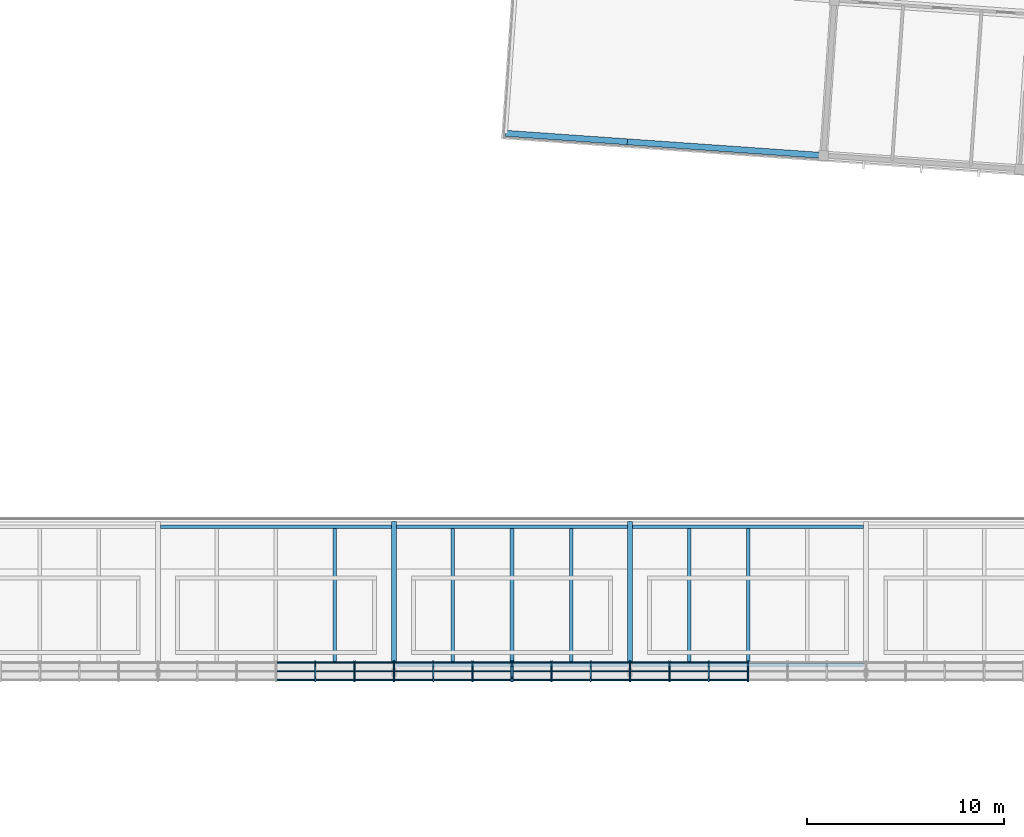
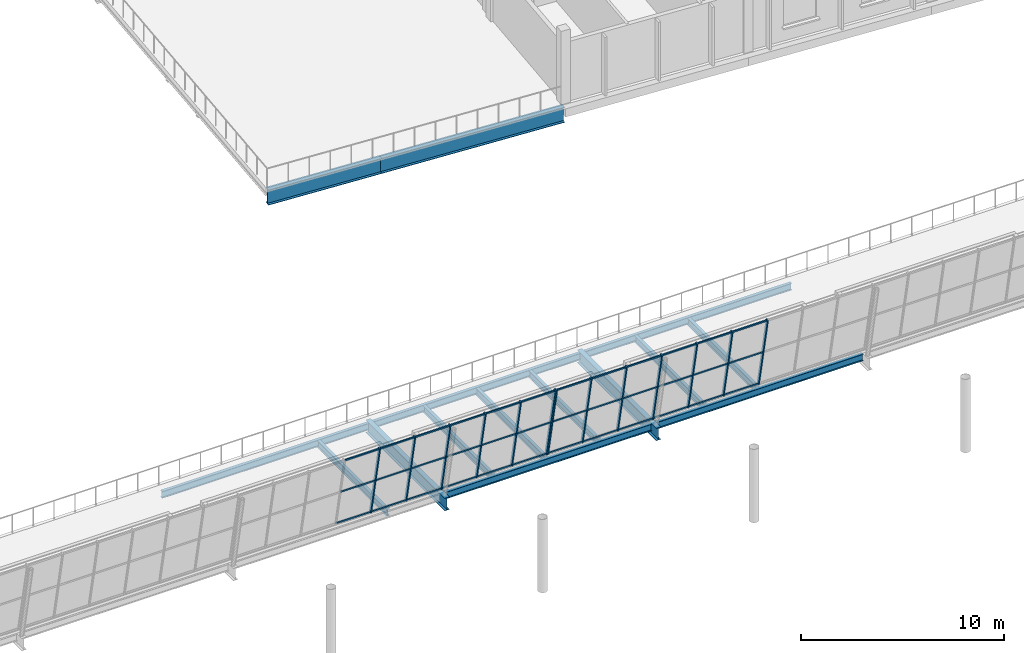
# One storey, part 20 of 58: 49 members, 15 beams, 2 elements without a shape of their own.
"""IFC4 building model written with IfcOpenShell, lengths in metres."""

from ifc_helpers import new_model, si_unit, direction, frame, origin, origin_2d, place, context, subcontext, project, spatial, rectangle, i_section, extrude, material, layer, layer_set, material_profile, profile_set, type_object, element, aggregate, save


model = new_model("IFC4")

# Units and contexts
model_context = context("Model", 3, precision=1e-05, world=origin(), true_north=direction((0.0, 1.0)))
body_context = subcontext(model_context, "Body", "Model", "MODEL_VIEW")
ifc_project = project(units=[si_unit("LENGTHUNIT", "METRE"), si_unit("AREAUNIT", "SQUARE_METRE"), si_unit("VOLUMEUNIT", "CUBIC_METRE"), si_unit("PLANEANGLEUNIT", "RADIAN"), si_unit("MASSUNIT", "GRAM", prefix="KILO")], contexts=[model_context])

# Site, building, storey
site_placement = place(None, origin())
site = spatial("IfcSite", under=ifc_project, at=site_placement, CompositionType="ELEMENT")
building_placement = place(site_placement, origin())
building = spatial("IfcBuilding", under=site, at=building_placement, Name="Windward Yard Aquatics Centre", CompositionType="ELEMENT")
storey_placement = place(building_placement, frame((0.0, 0.0, 13.800048828125)))
storey = spatial("IfcBuildingStorey", under=building, at=storey_placement, Name="L03", CompositionType="ELEMENT", Elevation=13.800048828125)

# Curtain wall, members
ifc_material_1 = material(Name="Glass and aluminium curtain wall", Category="aluminium")
ifc_layer = layer(ifc_material_1, 0.179931640625)
ifc_layer_set = layer_set([ifc_layer], Name="H curtain wall tier 2 double glazed 6+16+6")
curtain_wall_type = type_object("IfcCurtainWallType", Name="H curtain wall tier 2 double glazed 6+16+6", PredefinedType="NOTDEFINED", material=ifc_layer_set)
curtain_wall_1_placement = place(storey_placement, origin())
curtain_wall_1 = element("IfcCurtainWall", 1, at=curtain_wall_1_placement, inside=storey, type_object=curtain_wall_type, Name="Tier 2 glazing N L03", PredefinedType="NOTDEFINED")
ifc_material_2 = material(Name="Aluminium 6063-T6 anodised", Category="aluminium")
ifc_material_profile_1 = material_profile(ifc_material_2, rectangle(XDim=0.06494140625, YDim=0.179931640625, at=origin_2d()), Name="H CW mullion 65x180")
ifc_profile_set_1 = profile_set([ifc_material_profile_1], Name="Aluminium 6063-T6 anodised")
member_type_1 = type_object("IfcMemberType", Name="H CW mullion 65x180", PredefinedType="MULLION", material=ifc_profile_set_1)
member_1_placement = place(storey_placement, frame((91.996337890625, 90.38623046875, 0.017822265625), z_axis=(0.0, -0.199327811945, 0.979932866775), x_axis=(1.0, 0.0, 0.0)))
member_1 = element("IfcMember", 2, at=member_1_placement, type_object=member_type_1, Name="G2NA mullion 15", PredefinedType="MULLION", context=body_context, shape_type="SweptSolid", body=[
    extrude(rectangle(XDim=0.06494140625, YDim=0.179931640625, at=origin_2d()), origin(), (0.0, 0.0, 1.0), 4.471923828125),
])
member_2_placement = place(storey_placement, frame((93.99609375, 90.38623046875, 0.017822265625), z_axis=(0.0, -0.199327811945, 0.979932866775), x_axis=(1.0, 0.0, 0.0)))
member_2 = element("IfcMember", 3, at=member_2_placement, type_object=member_type_1, Name="G2NA mullion 16", PredefinedType="MULLION", context=body_context, shape_type="SweptSolid", body=[
    extrude(rectangle(XDim=0.06494140625, YDim=0.179931640625, at=origin_2d()), origin(), (0.0, 0.0, 1.0), 4.471923828125),
])
member_3_placement = place(storey_placement, frame((95.995849609375, 90.38623046875, 0.017822265625), z_axis=(0.0, -0.199327811945, 0.979932866775), x_axis=(1.0, 0.0, 0.0)))
member_3 = element("IfcMember", 4, at=member_3_placement, type_object=member_type_1, Name="G2NA mullion 17", PredefinedType="MULLION", context=body_context, shape_type="SweptSolid", body=[
    extrude(rectangle(XDim=0.06494140625, YDim=0.179931640625, at=origin_2d()), origin(), (0.0, 0.0, 1.0), 4.471923828125),
])
member_4_placement = place(storey_placement, frame((97.99560546875, 90.38623046875, 0.017822265625), z_axis=(0.0, -0.199327811945, 0.979932866775), x_axis=(1.0, 0.0, 0.0)))
member_4 = element("IfcMember", 5, at=member_4_placement, type_object=member_type_1, Name="G2NA mullion 18", PredefinedType="MULLION", context=body_context, shape_type="SweptSolid", body=[
    extrude(rectangle(XDim=0.06494140625, YDim=0.179931640625, at=origin_2d()), origin(), (0.0, 0.0, 1.0), 4.471923828125),
])
member_5_placement = place(storey_placement, frame((99.995361328125, 90.38623046875, 0.017822265625), z_axis=(0.0, -0.199327811945, 0.979932866775), x_axis=(1.0, 0.0, 0.0)))
member_5 = element("IfcMember", 6, at=member_5_placement, type_object=member_type_1, Name="G2NA mullion 19", PredefinedType="MULLION", context=body_context, shape_type="SweptSolid", body=[
    extrude(rectangle(XDim=0.06494140625, YDim=0.179931640625, at=origin_2d()), origin(), (0.0, 0.0, 1.0), 4.471923828125),
])
member_6_placement = place(storey_placement, frame((101.96240234375, 90.38623046875, 0.017822265625), z_axis=(0.0, -0.199327811945, 0.979932866775), x_axis=(1.0, 0.0, 0.0)))
member_6 = element("IfcMember", 7, at=member_6_placement, type_object=member_type_1, Name="G2NA mullion 20", PredefinedType="MULLION", context=body_context, shape_type="SweptSolid", body=[
    extrude(rectangle(XDim=0.06494140625, YDim=0.179931640625, at=origin_2d()), origin(), (0.0, 0.0, 1.0), 4.471923828125),
])

curtain_wall_2_placement = place(storey_placement, origin())
curtain_wall_2 = element("IfcCurtainWall", 8, at=curtain_wall_2_placement, inside=storey, type_object=curtain_wall_type, Name="Tier 2 glazing N L03", PredefinedType="NOTDEFINED")
member_7_placement = place(storey_placement, frame((102.03759765625, 90.38623046875, 0.017822265625), z_axis=(0.0, -0.199327811945, 0.979932866775), x_axis=(1.0, 0.0, 0.0)))
member_7 = element("IfcMember", 9, at=member_7_placement, type_object=member_type_1, Name="G2NB mullion 1", PredefinedType="MULLION", context=body_context, shape_type="SweptSolid", body=[
    extrude(rectangle(XDim=0.06494140625, YDim=0.179931640625, at=origin_2d()), origin(), (0.0, 0.0, 1.0), 4.471923828125),
])
member_8_placement = place(storey_placement, frame((104.004638671875, 90.38623046875, 0.017822265625), z_axis=(0.0, -0.199327811945, 0.979932866775), x_axis=(1.0, 0.0, 0.0)))
member_8 = element("IfcMember", 10, at=member_8_placement, type_object=member_type_1, Name="G2NB mullion 2", PredefinedType="MULLION", context=body_context, shape_type="SweptSolid", body=[
    extrude(rectangle(XDim=0.06494140625, YDim=0.179931640625, at=origin_2d()), origin(), (0.0, 0.0, 1.0), 4.471923828125),
])
member_9_placement = place(storey_placement, frame((106.00439453125, 90.38623046875, 0.017822265625), z_axis=(0.0, -0.199327811945, 0.979932866775), x_axis=(1.0, 0.0, 0.0)))
member_9 = element("IfcMember", 11, at=member_9_placement, type_object=member_type_1, Name="G2NB mullion 3", PredefinedType="MULLION", context=body_context, shape_type="SweptSolid", body=[
    extrude(rectangle(XDim=0.06494140625, YDim=0.179931640625, at=origin_2d()), origin(), (0.0, 0.0, 1.0), 4.471923828125),
])
member_10_placement = place(storey_placement, frame((108.004150390625, 90.38623046875, 0.017822265625), z_axis=(0.0, -0.199327811945, 0.979932866775), x_axis=(1.0, 0.0, 0.0)))
member_10 = element("IfcMember", 12, at=member_10_placement, type_object=member_type_1, Name="G2NB mullion 4", PredefinedType="MULLION", context=body_context, shape_type="SweptSolid", body=[
    extrude(rectangle(XDim=0.06494140625, YDim=0.179931640625, at=origin_2d()), origin(), (0.0, 0.0, 1.0), 4.471923828125),
])
member_11_placement = place(storey_placement, frame((110.00390625, 90.38623046875, 0.017822265625), z_axis=(0.0, -0.199327811945, 0.979932866775), x_axis=(1.0, 0.0, 0.0)))
member_11 = element("IfcMember", 13, at=member_11_placement, type_object=member_type_1, Name="G2NB mullion 5", PredefinedType="MULLION", context=body_context, shape_type="SweptSolid", body=[
    extrude(rectangle(XDim=0.06494140625, YDim=0.179931640625, at=origin_2d()), origin(), (0.0, 0.0, 1.0), 4.471923828125),
])
member_12_placement = place(storey_placement, frame((112.003662109375, 90.38623046875, 0.017822265625), z_axis=(0.0, -0.199327811945, 0.979932866775), x_axis=(1.0, 0.0, 0.0)))
member_12 = element("IfcMember", 14, at=member_12_placement, type_object=member_type_1, Name="G2NB mullion 6", PredefinedType="MULLION", context=body_context, shape_type="SweptSolid", body=[
    extrude(rectangle(XDim=0.06494140625, YDim=0.179931640625, at=origin_2d()), origin(), (0.0, 0.0, 1.0), 4.471923828125),
])
member_13_placement = place(storey_placement, frame((114.00341796875, 90.38623046875, 0.017822265625), z_axis=(0.0, -0.199327811945, 0.979932866775), x_axis=(1.0, 0.0, 0.0)))
member_13 = element("IfcMember", 15, at=member_13_placement, type_object=member_type_1, Name="G2NB mullion 7", PredefinedType="MULLION", context=body_context, shape_type="SweptSolid", body=[
    extrude(rectangle(XDim=0.06494140625, YDim=0.179931640625, at=origin_2d()), origin(), (0.0, 0.0, 1.0), 4.471923828125),
])

# Member
ifc_material_profile_2 = material_profile(ifc_material_2, rectangle(XDim=0.06494140625, YDim=0.10009765625, at=origin_2d()), Name="H CW transom 65x100")
ifc_profile_set_2 = profile_set([ifc_material_profile_2], Name="Aluminium 6063-T6 anodised")
member_type_2 = type_object("IfcMemberType", Name="H CW transom 65x100", PredefinedType="USERDEFINED", material=ifc_profile_set_2)
member_14_placement = place(storey_placement, frame((90.029052734375, 90.378662109375, 0.055419921875), z_axis=(1.0, 0.0, 0.0), x_axis=(0.0, 0.979924704642, 0.199367934315)))
member_14 = element("IfcMember", 16, at=member_14_placement, type_object=member_type_2, Name="G2NA transom 14.1", ObjectType="TRANSOM", PredefinedType="USERDEFINED", context=body_context, shape_type="SweptSolid", body=[
    extrude(rectangle(XDim=0.06494140625, YDim=0.10009765625, at=origin_2d()), origin(), (0.0, 0.0, 1.0), 1.934814453125),
])

member_15_placement = place(storey_placement, frame((90.029052734375, 89.9423828125, 2.199951171875), z_axis=(1.0, 0.0, 0.0), x_axis=(0.0, 0.979924704642, 0.199367934315)))
member_15 = element("IfcMember", 17, at=member_15_placement, type_object=member_type_2, Name="G2NA transom 14.2", ObjectType="TRANSOM", PredefinedType="USERDEFINED", context=body_context, shape_type="SweptSolid", body=[
    extrude(rectangle(XDim=0.06494140625, YDim=0.10009765625, at=origin_2d()), origin(), (0.0, 0.0, 1.0), 1.934814453125),
])

member_16_placement = place(storey_placement, frame((90.029052734375, 89.5048828125, 4.35107421875), z_axis=(1.0, 0.0, 0.0), x_axis=(0.0, 0.979924704642, 0.199367934315)))
member_16 = element("IfcMember", 18, at=member_16_placement, type_object=member_type_2, Name="G2NA transom 14.3", ObjectType="TRANSOM", PredefinedType="USERDEFINED", context=body_context, shape_type="SweptSolid", body=[
    extrude(rectangle(XDim=0.06494140625, YDim=0.10009765625, at=origin_2d()), origin(), (0.0, 0.0, 1.0), 1.934814453125),
])

member_17_placement = place(storey_placement, frame((92.02880859375, 90.378662109375, 0.055419921875), z_axis=(1.0, 0.0, 0.0), x_axis=(0.0, 0.979924704642, 0.199367934315)))
member_17 = element("IfcMember", 19, at=member_17_placement, type_object=member_type_2, Name="G2NA transom 15.1", ObjectType="TRANSOM", PredefinedType="USERDEFINED", context=body_context, shape_type="SweptSolid", body=[
    extrude(rectangle(XDim=0.06494140625, YDim=0.10009765625, at=origin_2d()), origin(), (0.0, 0.0, 1.0), 1.934814453125),
])

member_18_placement = place(storey_placement, frame((92.02880859375, 89.9423828125, 2.199951171875), z_axis=(1.0, 0.0, 0.0), x_axis=(0.0, 0.979924704642, 0.199367934315)))
member_18 = element("IfcMember", 20, at=member_18_placement, type_object=member_type_2, Name="G2NA transom 15.2", ObjectType="TRANSOM", PredefinedType="USERDEFINED", context=body_context, shape_type="SweptSolid", body=[
    extrude(rectangle(XDim=0.06494140625, YDim=0.10009765625, at=origin_2d()), origin(), (0.0, 0.0, 1.0), 1.934814453125),
])

member_19_placement = place(storey_placement, frame((92.02880859375, 89.5048828125, 4.35107421875), z_axis=(1.0, 0.0, 0.0), x_axis=(0.0, 0.979924704642, 0.199367934315)))
member_19 = element("IfcMember", 21, at=member_19_placement, type_object=member_type_2, Name="G2NA transom 15.3", ObjectType="TRANSOM", PredefinedType="USERDEFINED", context=body_context, shape_type="SweptSolid", body=[
    extrude(rectangle(XDim=0.06494140625, YDim=0.10009765625, at=origin_2d()), origin(), (0.0, 0.0, 1.0), 1.934814453125),
])

member_20_placement = place(storey_placement, frame((94.028564453125, 90.378662109375, 0.055419921875), z_axis=(1.0, 0.0, 0.0), x_axis=(0.0, 0.979924704642, 0.199367934315)))
member_20 = element("IfcMember", 22, at=member_20_placement, type_object=member_type_2, Name="G2NA transom 16.1", ObjectType="TRANSOM", PredefinedType="USERDEFINED", context=body_context, shape_type="SweptSolid", body=[
    extrude(rectangle(XDim=0.06494140625, YDim=0.10009765625, at=origin_2d()), origin(), (0.0, 0.0, 1.0), 1.934814453125),
])

member_21_placement = place(storey_placement, frame((94.028564453125, 89.9423828125, 2.199951171875), z_axis=(1.0, 0.0, 0.0), x_axis=(0.0, 0.979924704642, 0.199367934315)))
member_21 = element("IfcMember", 23, at=member_21_placement, type_object=member_type_2, Name="G2NA transom 16.2", ObjectType="TRANSOM", PredefinedType="USERDEFINED", context=body_context, shape_type="SweptSolid", body=[
    extrude(rectangle(XDim=0.06494140625, YDim=0.10009765625, at=origin_2d()), origin(), (0.0, 0.0, 1.0), 1.934814453125),
])

member_22_placement = place(storey_placement, frame((94.028564453125, 89.5048828125, 4.35107421875), z_axis=(1.0, 0.0, 0.0), x_axis=(0.0, 0.979924704642, 0.199367934315)))
member_22 = element("IfcMember", 24, at=member_22_placement, type_object=member_type_2, Name="G2NA transom 16.3", ObjectType="TRANSOM", PredefinedType="USERDEFINED", context=body_context, shape_type="SweptSolid", body=[
    extrude(rectangle(XDim=0.06494140625, YDim=0.10009765625, at=origin_2d()), origin(), (0.0, 0.0, 1.0), 1.934814453125),
])

member_23_placement = place(storey_placement, frame((96.0283203125, 90.378662109375, 0.055419921875), z_axis=(1.0, 0.0, 0.0), x_axis=(0.0, 0.979924704642, 0.199367934315)))
member_23 = element("IfcMember", 25, at=member_23_placement, type_object=member_type_2, Name="G2NA transom 17.1", ObjectType="TRANSOM", PredefinedType="USERDEFINED", context=body_context, shape_type="SweptSolid", body=[
    extrude(rectangle(XDim=0.06494140625, YDim=0.10009765625, at=origin_2d()), origin(), (0.0, 0.0, 1.0), 1.934814453125),
])

member_24_placement = place(storey_placement, frame((96.0283203125, 89.9423828125, 2.199951171875), z_axis=(1.0, 0.0, 0.0), x_axis=(0.0, 0.979924704642, 0.199367934315)))
member_24 = element("IfcMember", 26, at=member_24_placement, type_object=member_type_2, Name="G2NA transom 17.2", ObjectType="TRANSOM", PredefinedType="USERDEFINED", context=body_context, shape_type="SweptSolid", body=[
    extrude(rectangle(XDim=0.06494140625, YDim=0.10009765625, at=origin_2d()), origin(), (0.0, 0.0, 1.0), 1.934814453125),
])

member_25_placement = place(storey_placement, frame((96.0283203125, 89.5048828125, 4.35107421875), z_axis=(1.0, 0.0, 0.0), x_axis=(0.0, 0.979924704642, 0.199367934315)))
member_25 = element("IfcMember", 27, at=member_25_placement, type_object=member_type_2, Name="G2NA transom 17.3", ObjectType="TRANSOM", PredefinedType="USERDEFINED", context=body_context, shape_type="SweptSolid", body=[
    extrude(rectangle(XDim=0.06494140625, YDim=0.10009765625, at=origin_2d()), origin(), (0.0, 0.0, 1.0), 1.934814453125),
])

member_26_placement = place(storey_placement, frame((98.028076171875, 90.378662109375, 0.055419921875), z_axis=(1.0, 0.0, 0.0), x_axis=(0.0, 0.979924704642, 0.199367934315)))
member_26 = element("IfcMember", 28, at=member_26_placement, type_object=member_type_2, Name="G2NA transom 18.1", ObjectType="TRANSOM", PredefinedType="USERDEFINED", context=body_context, shape_type="SweptSolid", body=[
    extrude(rectangle(XDim=0.06494140625, YDim=0.10009765625, at=origin_2d()), origin(), (0.0, 0.0, 1.0), 1.9345703125),
])

member_27_placement = place(storey_placement, frame((98.028076171875, 89.9423828125, 2.199951171875), z_axis=(1.0, 0.0, 0.0), x_axis=(0.0, 0.979924704642, 0.199367934315)))
member_27 = element("IfcMember", 29, at=member_27_placement, type_object=member_type_2, Name="G2NA transom 18.2", ObjectType="TRANSOM", PredefinedType="USERDEFINED", context=body_context, shape_type="SweptSolid", body=[
    extrude(rectangle(XDim=0.06494140625, YDim=0.10009765625, at=origin_2d()), origin(), (0.0, 0.0, 1.0), 1.9345703125),
])

member_28_placement = place(storey_placement, frame((98.028076171875, 89.5048828125, 4.35107421875), z_axis=(1.0, 0.0, 0.0), x_axis=(0.0, 0.979924704642, 0.199367934315)))
member_28 = element("IfcMember", 30, at=member_28_placement, type_object=member_type_2, Name="G2NA transom 18.3", ObjectType="TRANSOM", PredefinedType="USERDEFINED", context=body_context, shape_type="SweptSolid", body=[
    extrude(rectangle(XDim=0.06494140625, YDim=0.10009765625, at=origin_2d()), origin(), (0.0, 0.0, 1.0), 1.9345703125),
])

member_29_placement = place(storey_placement, frame((100.02783203125, 90.378662109375, 0.055419921875), z_axis=(1.0, 0.0, 0.0), x_axis=(0.0, 0.979924704642, 0.199367934315)))
member_29 = element("IfcMember", 31, at=member_29_placement, type_object=member_type_2, Name="G2NA transom 19.1", ObjectType="TRANSOM", PredefinedType="USERDEFINED", context=body_context, shape_type="SweptSolid", body=[
    extrude(rectangle(XDim=0.06494140625, YDim=0.10009765625, at=origin_2d()), origin(), (0.0, 0.0, 1.0), 1.902099609375),
])

member_30_placement = place(storey_placement, frame((100.02783203125, 89.9423828125, 2.199951171875), z_axis=(1.0, 0.0, 0.0), x_axis=(0.0, 0.979924704642, 0.199367934315)))
member_30 = element("IfcMember", 32, at=member_30_placement, type_object=member_type_2, Name="G2NA transom 19.2", ObjectType="TRANSOM", PredefinedType="USERDEFINED", context=body_context, shape_type="SweptSolid", body=[
    extrude(rectangle(XDim=0.06494140625, YDim=0.10009765625, at=origin_2d()), origin(), (0.0, 0.0, 1.0), 1.902099609375),
])

member_31_placement = place(storey_placement, frame((100.02783203125, 89.5048828125, 4.35107421875), z_axis=(1.0, 0.0, 0.0), x_axis=(0.0, 0.979924704642, 0.199367934315)))
member_31 = element("IfcMember", 33, at=member_31_placement, type_object=member_type_2, Name="G2NA transom 19.3", ObjectType="TRANSOM", PredefinedType="USERDEFINED", context=body_context, shape_type="SweptSolid", body=[
    extrude(rectangle(XDim=0.06494140625, YDim=0.10009765625, at=origin_2d()), origin(), (0.0, 0.0, 1.0), 1.902099609375),
])

aggregate(curtain_wall_1, [member_1, member_2, member_3, member_4, member_5, member_6, member_14, member_15, member_16, member_17, member_18, member_19, member_20, member_21, member_22, member_23, member_24, member_25, member_26, member_27, member_28, member_29, member_30, member_31])

member_32_placement = place(storey_placement, frame((102.070068359375, 90.378662109375, 0.055419921875), z_axis=(1.0, 0.0, 0.0), x_axis=(0.0, 0.979924704642, 0.199367934315)))
member_32 = element("IfcMember", 34, at=member_32_placement, type_object=member_type_2, Name="G2NB transom 1.1", ObjectType="TRANSOM", PredefinedType="USERDEFINED", context=body_context, shape_type="SweptSolid", body=[
    extrude(rectangle(XDim=0.06494140625, YDim=0.10009765625, at=origin_2d()), origin(), (0.0, 0.0, 1.0), 1.902099609375),
])

member_33_placement = place(storey_placement, frame((102.070068359375, 89.9423828125, 2.199951171875), z_axis=(1.0, 0.0, 0.0), x_axis=(0.0, 0.979924704642, 0.199367934315)))
member_33 = element("IfcMember", 35, at=member_33_placement, type_object=member_type_2, Name="G2NB transom 1.2", ObjectType="TRANSOM", PredefinedType="USERDEFINED", context=body_context, shape_type="SweptSolid", body=[
    extrude(rectangle(XDim=0.06494140625, YDim=0.10009765625, at=origin_2d()), origin(), (0.0, 0.0, 1.0), 1.902099609375),
])

member_34_placement = place(storey_placement, frame((102.070068359375, 89.5048828125, 4.35107421875), z_axis=(1.0, 0.0, 0.0), x_axis=(0.0, 0.979924704642, 0.199367934315)))
member_34 = element("IfcMember", 36, at=member_34_placement, type_object=member_type_2, Name="G2NB transom 1.3", ObjectType="TRANSOM", PredefinedType="USERDEFINED", context=body_context, shape_type="SweptSolid", body=[
    extrude(rectangle(XDim=0.06494140625, YDim=0.10009765625, at=origin_2d()), origin(), (0.0, 0.0, 1.0), 1.902099609375),
])

member_35_placement = place(storey_placement, frame((104.037353515625, 90.378662109375, 0.055419921875), z_axis=(1.0, 0.0, 0.0), x_axis=(0.0, 0.979924704642, 0.199367934315)))
member_35 = element("IfcMember", 37, at=member_35_placement, type_object=member_type_2, Name="G2NB transom 2.1", ObjectType="TRANSOM", PredefinedType="USERDEFINED", context=body_context, shape_type="SweptSolid", body=[
    extrude(rectangle(XDim=0.06494140625, YDim=0.10009765625, at=origin_2d()), origin(), (0.0, 0.0, 1.0), 1.9345703125),
])

member_36_placement = place(storey_placement, frame((104.037353515625, 89.9423828125, 2.199951171875), z_axis=(1.0, 0.0, 0.0), x_axis=(0.0, 0.979924704642, 0.199367934315)))
member_36 = element("IfcMember", 38, at=member_36_placement, type_object=member_type_2, Name="G2NB transom 2.2", ObjectType="TRANSOM", PredefinedType="USERDEFINED", context=body_context, shape_type="SweptSolid", body=[
    extrude(rectangle(XDim=0.06494140625, YDim=0.10009765625, at=origin_2d()), origin(), (0.0, 0.0, 1.0), 1.9345703125),
])

member_37_placement = place(storey_placement, frame((104.037353515625, 89.5048828125, 4.35107421875), z_axis=(1.0, 0.0, 0.0), x_axis=(0.0, 0.979924704642, 0.199367934315)))
member_37 = element("IfcMember", 39, at=member_37_placement, type_object=member_type_2, Name="G2NB transom 2.3", ObjectType="TRANSOM", PredefinedType="USERDEFINED", context=body_context, shape_type="SweptSolid", body=[
    extrude(rectangle(XDim=0.06494140625, YDim=0.10009765625, at=origin_2d()), origin(), (0.0, 0.0, 1.0), 1.9345703125),
])

member_38_placement = place(storey_placement, frame((106.036865234375, 90.378662109375, 0.055419921875), z_axis=(1.0, 0.0, 0.0), x_axis=(0.0, 0.979924704642, 0.199367934315)))
member_38 = element("IfcMember", 40, at=member_38_placement, type_object=member_type_2, Name="G2NB transom 3.1", ObjectType="TRANSOM", PredefinedType="USERDEFINED", context=body_context, shape_type="SweptSolid", body=[
    extrude(rectangle(XDim=0.06494140625, YDim=0.10009765625, at=origin_2d()), origin(), (0.0, 0.0, 1.0), 1.934814453125),
])

member_39_placement = place(storey_placement, frame((106.036865234375, 89.9423828125, 2.199951171875), z_axis=(1.0, 0.0, 0.0), x_axis=(0.0, 0.979924704642, 0.199367934315)))
member_39 = element("IfcMember", 41, at=member_39_placement, type_object=member_type_2, Name="G2NB transom 3.2", ObjectType="TRANSOM", PredefinedType="USERDEFINED", context=body_context, shape_type="SweptSolid", body=[
    extrude(rectangle(XDim=0.06494140625, YDim=0.10009765625, at=origin_2d()), origin(), (0.0, 0.0, 1.0), 1.934814453125),
])

member_40_placement = place(storey_placement, frame((106.036865234375, 89.5048828125, 4.35107421875), z_axis=(1.0, 0.0, 0.0), x_axis=(0.0, 0.979924704642, 0.199367934315)))
member_40 = element("IfcMember", 42, at=member_40_placement, type_object=member_type_2, Name="G2NB transom 3.3", ObjectType="TRANSOM", PredefinedType="USERDEFINED", context=body_context, shape_type="SweptSolid", body=[
    extrude(rectangle(XDim=0.06494140625, YDim=0.10009765625, at=origin_2d()), origin(), (0.0, 0.0, 1.0), 1.934814453125),
])

member_41_placement = place(storey_placement, frame((108.03662109375, 90.378662109375, 0.055419921875), z_axis=(1.0, 0.0, 0.0), x_axis=(0.0, 0.979924704642, 0.199367934315)))
member_41 = element("IfcMember", 43, at=member_41_placement, type_object=member_type_2, Name="G2NB transom 4.1", ObjectType="TRANSOM", PredefinedType="USERDEFINED", context=body_context, shape_type="SweptSolid", body=[
    extrude(rectangle(XDim=0.06494140625, YDim=0.10009765625, at=origin_2d()), origin(), (0.0, 0.0, 1.0), 1.934814453125),
])

member_42_placement = place(storey_placement, frame((108.03662109375, 89.9423828125, 2.199951171875), z_axis=(1.0, 0.0, 0.0), x_axis=(0.0, 0.979924704642, 0.199367934315)))
member_42 = element("IfcMember", 44, at=member_42_placement, type_object=member_type_2, Name="G2NB transom 4.2", ObjectType="TRANSOM", PredefinedType="USERDEFINED", context=body_context, shape_type="SweptSolid", body=[
    extrude(rectangle(XDim=0.06494140625, YDim=0.10009765625, at=origin_2d()), origin(), (0.0, 0.0, 1.0), 1.934814453125),
])

member_43_placement = place(storey_placement, frame((108.03662109375, 89.5048828125, 4.35107421875), z_axis=(1.0, 0.0, 0.0), x_axis=(0.0, 0.979924704642, 0.199367934315)))
member_43 = element("IfcMember", 45, at=member_43_placement, type_object=member_type_2, Name="G2NB transom 4.3", ObjectType="TRANSOM", PredefinedType="USERDEFINED", context=body_context, shape_type="SweptSolid", body=[
    extrude(rectangle(XDim=0.06494140625, YDim=0.10009765625, at=origin_2d()), origin(), (0.0, 0.0, 1.0), 1.934814453125),
])

member_44_placement = place(storey_placement, frame((110.036376953125, 90.378662109375, 0.055419921875), z_axis=(1.0, 0.0, 0.0), x_axis=(0.0, 0.979924704642, 0.199367934315)))
member_44 = element("IfcMember", 46, at=member_44_placement, type_object=member_type_2, Name="G2NB transom 5.1", ObjectType="TRANSOM", PredefinedType="USERDEFINED", context=body_context, shape_type="SweptSolid", body=[
    extrude(rectangle(XDim=0.06494140625, YDim=0.10009765625, at=origin_2d()), origin(), (0.0, 0.0, 1.0), 1.934814453125),
])

member_45_placement = place(storey_placement, frame((110.036376953125, 89.9423828125, 2.199951171875), z_axis=(1.0, 0.0, 0.0), x_axis=(0.0, 0.979924704642, 0.199367934315)))
member_45 = element("IfcMember", 47, at=member_45_placement, type_object=member_type_2, Name="G2NB transom 5.2", ObjectType="TRANSOM", PredefinedType="USERDEFINED", context=body_context, shape_type="SweptSolid", body=[
    extrude(rectangle(XDim=0.06494140625, YDim=0.10009765625, at=origin_2d()), origin(), (0.0, 0.0, 1.0), 1.934814453125),
])

member_46_placement = place(storey_placement, frame((110.036376953125, 89.5048828125, 4.35107421875), z_axis=(1.0, 0.0, 0.0), x_axis=(0.0, 0.979924704642, 0.199367934315)))
member_46 = element("IfcMember", 48, at=member_46_placement, type_object=member_type_2, Name="G2NB transom 5.3", ObjectType="TRANSOM", PredefinedType="USERDEFINED", context=body_context, shape_type="SweptSolid", body=[
    extrude(rectangle(XDim=0.06494140625, YDim=0.10009765625, at=origin_2d()), origin(), (0.0, 0.0, 1.0), 1.934814453125),
])

member_47_placement = place(storey_placement, frame((112.0361328125, 90.378662109375, 0.055419921875), z_axis=(1.0, 0.0, 0.0), x_axis=(0.0, 0.979924704642, 0.199367934315)))
member_47 = element("IfcMember", 49, at=member_47_placement, type_object=member_type_2, Name="G2NB transom 6.1", ObjectType="TRANSOM", PredefinedType="USERDEFINED", context=body_context, shape_type="SweptSolid", body=[
    extrude(rectangle(XDim=0.06494140625, YDim=0.10009765625, at=origin_2d()), origin(), (0.0, 0.0, 1.0), 1.934814453125),
])

member_48_placement = place(storey_placement, frame((112.0361328125, 89.9423828125, 2.199951171875), z_axis=(1.0, 0.0, 0.0), x_axis=(0.0, 0.979924704642, 0.199367934315)))
member_48 = element("IfcMember", 50, at=member_48_placement, type_object=member_type_2, Name="G2NB transom 6.2", ObjectType="TRANSOM", PredefinedType="USERDEFINED", context=body_context, shape_type="SweptSolid", body=[
    extrude(rectangle(XDim=0.06494140625, YDim=0.10009765625, at=origin_2d()), origin(), (0.0, 0.0, 1.0), 1.934814453125),
])

member_49_placement = place(storey_placement, frame((112.0361328125, 89.5048828125, 4.35107421875), z_axis=(1.0, 0.0, 0.0), x_axis=(0.0, 0.979924704642, 0.199367934315)))
member_49 = element("IfcMember", 51, at=member_49_placement, type_object=member_type_2, Name="G2NB transom 6.3", ObjectType="TRANSOM", PredefinedType="USERDEFINED", context=body_context, shape_type="SweptSolid", body=[
    extrude(rectangle(XDim=0.06494140625, YDim=0.10009765625, at=origin_2d()), origin(), (0.0, 0.0, 1.0), 1.934814453125),
])

aggregate(curtain_wall_2, [member_7, member_8, member_9, member_10, member_11, member_12, member_13, member_32, member_33, member_34, member_35, member_36, member_37, member_38, member_39, member_40, member_41, member_42, member_43, member_44, member_45, member_46, member_47, member_48, member_49])

# Beams
ifc_material_3 = material(Name="Steel ASTM A992 Gr 50", Category="steel")
ifc_material_profile_3 = material_profile(ifc_material_3, i_section(OverallWidth=0.177978515625, OverallDepth=0.406005859375, WebThickness=0.0078125, FlangeThickness=0.0126953125, at=origin_2d()), Name="W410X60")
ifc_profile_set_3 = profile_set([ifc_material_profile_3], Name="Steel ASTM A992 Gr 50")
beam_type_1 = type_object("IfcBeamType", Name="H terrace secondary beam W410X60", PredefinedType="BEAM", material=ifc_profile_set_3)
beam_1_placement = place(storey_placement, frame((84.133544921875, 97.301025390625, -0.35302734375), z_axis=(1.0, 0.0, 0.0), x_axis=(0.0, 1.0, 0.0)))
element("IfcBeam", 52, at=beam_1_placement, inside=storey, type_object=beam_type_1, Name="H.T1E.N3.O", PredefinedType="BEAM", context=body_context, shape_type="SweptSolid", body=[
    extrude(i_section(OverallWidth=0.177978515625, OverallDepth=0.406005859375, WebThickness=0.0078125, FlangeThickness=0.0126953125, at=origin_2d()), origin(), (0.0, 0.0, 1.0), 11.73291015625),
])
beam_2_placement = place(storey_placement, frame((93.0, 97.2119140625, -0.35302734375), z_axis=(0.0, -1.0, 0.0), x_axis=(1.0, 0.0, 0.0)))
element("IfcBeam", 53, at=beam_2_placement, inside=storey, type_object=beam_type_1, Name="H.T1S.N3.3", PredefinedType="BEAM", context=body_context, shape_type="SweptSolid", body=[
    extrude(i_section(OverallWidth=0.177978515625, OverallDepth=0.406005859375, WebThickness=0.0078125, FlangeThickness=0.0126953125, at=origin_2d()), origin(), (0.0, 0.0, 1.0), 6.83251953125),
])
for number, where, z_axis, x_axis, name in (
    (54, (96.133544921875, 97.301025390625, -0.35302734375), (1.0, 0.0, 0.0), (0.0, 1.0, 0.0), "H.T1E.N4.O"),
    (55, (96.133544921875, 90.290283203125, -0.35302734375), (1.0, 0.0, 0.0), (0.0, 1.0, 0.0), "H.T1E.N4.I"),
):
    element("IfcBeam", number, at=place(storey_placement, frame(where, z_axis=z_axis, x_axis=x_axis)), inside=storey, type_object=beam_type_1, Name=name, PredefinedType="BEAM", context=body_context, shape_type="SweptSolid", body=[
        extrude(i_section(OverallWidth=0.177978515625, OverallDepth=0.406005859375, WebThickness=0.0078125, FlangeThickness=0.0126953125, at=origin_2d()), origin(), (0.0, 0.0, 1.0), 11.73291015625),
    ])
for number, where, z_axis, x_axis, name in (
    (56, (99.0, 97.2119140625, -0.35302734375), (0.0, -1.0, 0.0), (1.0, 0.0, 0.0), "H.T1S.N4.1"),
    (57, (102.0, 97.2119140625, -0.35302734375), (0.0, -1.0, 0.0), (1.0, 0.0, 0.0), "H.T1S.N4.2"),
    (58, (105.0, 97.2119140625, -0.35302734375), (0.0, -1.0, 0.0), (1.0, 0.0, 0.0), "H.T1S.N4.3"),
):
    element("IfcBeam", number, at=place(storey_placement, frame(where, z_axis=z_axis, x_axis=x_axis)), inside=storey, type_object=beam_type_1, Name=name, PredefinedType="BEAM", context=body_context, shape_type="SweptSolid", body=[
        extrude(i_section(OverallWidth=0.177978515625, OverallDepth=0.406005859375, WebThickness=0.0078125, FlangeThickness=0.0126953125, at=origin_2d()), origin(), (0.0, 0.0, 1.0), 6.83251953125),
    ])
for number, where, z_axis, x_axis, name in (
    (59, (108.133544921875, 97.301025390625, -0.35302734375), (1.0, 0.0, 0.0), (0.0, 1.0, 0.0), "H.T1E.N5.O"),
    (60, (108.133544921875, 90.290283203125, -0.35302734375), (1.0, 0.0, 0.0), (0.0, 1.0, 0.0), "H.T1E.N5.I"),
):
    element("IfcBeam", number, at=place(storey_placement, frame(where, z_axis=z_axis, x_axis=x_axis)), inside=storey, type_object=beam_type_1, Name=name, PredefinedType="BEAM", context=body_context, shape_type="SweptSolid", body=[
        extrude(i_section(OverallWidth=0.177978515625, OverallDepth=0.406005859375, WebThickness=0.0078125, FlangeThickness=0.0126953125, at=origin_2d()), origin(), (0.0, 0.0, 1.0), 11.73291015625),
    ])
for number, where, z_axis, x_axis, name in (
    (61, (111.0, 97.2119140625, -0.35302734375), (0.0, -1.0, 0.0), (1.0, 0.0, 0.0), "H.T1S.N5.1"),
    (62, (114.0, 97.2119140625, -0.35302734375), (0.0, -1.0, 0.0), (1.0, 0.0, 0.0), "H.T1S.N5.2"),
):
    element("IfcBeam", number, at=place(storey_placement, frame(where, z_axis=z_axis, x_axis=x_axis)), inside=storey, type_object=beam_type_1, Name=name, PredefinedType="BEAM", context=body_context, shape_type="SweptSolid", body=[
        extrude(i_section(OverallWidth=0.177978515625, OverallDepth=0.406005859375, WebThickness=0.0078125, FlangeThickness=0.0126953125, at=origin_2d()), origin(), (0.0, 0.0, 1.0), 6.83251953125),
    ])
ifc_material_profile_4 = material_profile(ifc_material_3, i_section(OverallWidth=0.26708984375, OverallDepth=0.75390625, WebThickness=0.01318359375, FlangeThickness=0.01708984375, at=origin_2d()), Name="W760X147")
ifc_profile_set_4 = profile_set([ifc_material_profile_4], Name="Steel ASTM A992 Gr 50")
beam_type_2 = type_object("IfcBeamType", Name="H terrace transfer girder W760X147", PredefinedType="BEAM", material=ifc_profile_set_4)
for number, where, z_axis, x_axis, name in (
    (63, (96.0, 97.551025390625, -0.527099609375), (0.0, -1.0, 0.0), (1.0, 0.0, 0.0), "H.T1B.N4"),
    (64, (108.0, 97.551025390625, -0.527099609375), (0.0, -1.0, 0.0), (1.0, 0.0, 0.0), "H.T1B.N5"),
):
    element("IfcBeam", number, at=place(storey_placement, frame(where, z_axis=z_axis, x_axis=x_axis)), inside=storey, type_object=beam_type_2, Name=name, PredefinedType="BEAM", context=body_context, shape_type="SweptSolid", body=[
        extrude(i_section(OverallWidth=0.26708984375, OverallDepth=0.75390625, WebThickness=0.01318359375, FlangeThickness=0.01708984375, at=origin_2d()), origin(), (0.0, 0.0, 1.0), 7.766357421875),
    ])
ifc_material_4 = material(Name="Steel S355", Category="steel")
ifc_material_profile_5 = material_profile(ifc_material_4, i_section(OverallWidth=0.304931640625, OverallDepth=0.9140625, WebThickness=0.0166015625, FlangeThickness=0.02587890625, at=origin_2d()), Name="W920x238")
ifc_profile_set_5 = profile_set([ifc_material_profile_5], Name="Steel S355")
beam_type_3 = type_object("IfcBeamType", Name="W W920x238 beam", PredefinedType="BEAM", material=ifc_profile_set_5)
beam_3_placement = place(storey_placement, frame((101.67822265625, 117.297607421875, -0.737060546875), z_axis=(0.997562750893, -0.069775053074, 0.0), x_axis=(0.069775053074, 0.997562750893, 0.0)))
element("IfcBeam", 65, at=beam_3_placement, inside=storey, type_object=beam_type_3, Name="W.BC.L03.1", PredefinedType="BEAM", context=body_context, shape_type="SweptSolid", body=[
    extrude(i_section(OverallWidth=0.304931640625, OverallDepth=0.9140625, WebThickness=0.0166015625, FlangeThickness=0.02587890625, at=origin_2d()), origin(), (0.0, 0.0, 1.0), 6.2001953125),
])
beam_4_placement = place(storey_placement, frame((107.86328125, 116.864990234375, -0.737060546875), z_axis=(0.997564406228, -0.069751382981, 0.0), x_axis=(0.069751382981, 0.997564406228, 0.0)))
element("IfcBeam", 66, at=beam_4_placement, inside=storey, type_object=beam_type_3, Name="W.BB.L03.1", PredefinedType="BEAM", context=body_context, shape_type="SweptSolid", body=[
    extrude(i_section(OverallWidth=0.304931640625, OverallDepth=0.9140625, WebThickness=0.0166015625, FlangeThickness=0.02587890625, at=origin_2d()), origin(), (0.0, 0.0, 1.0), 10.0),
])

save(model, "model.ifc")
